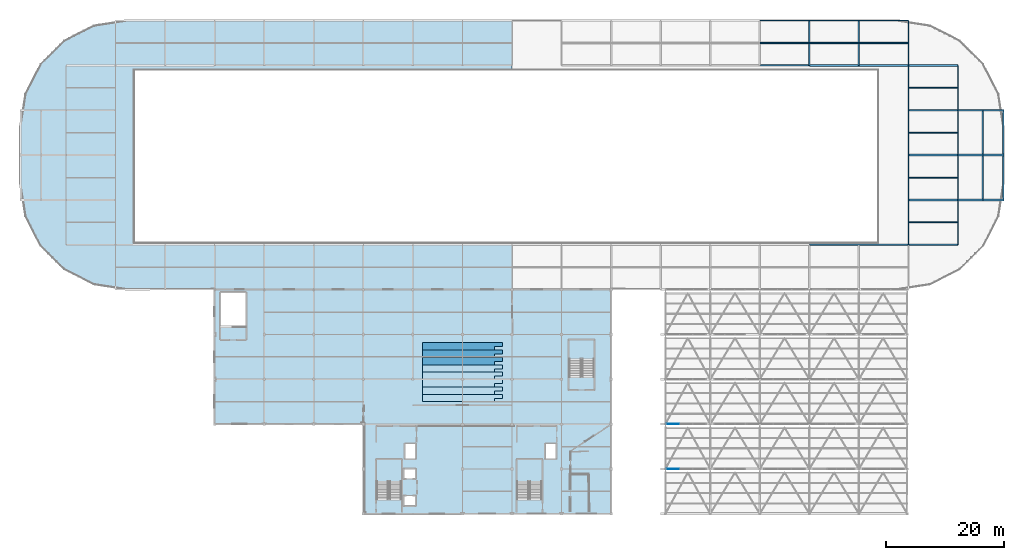
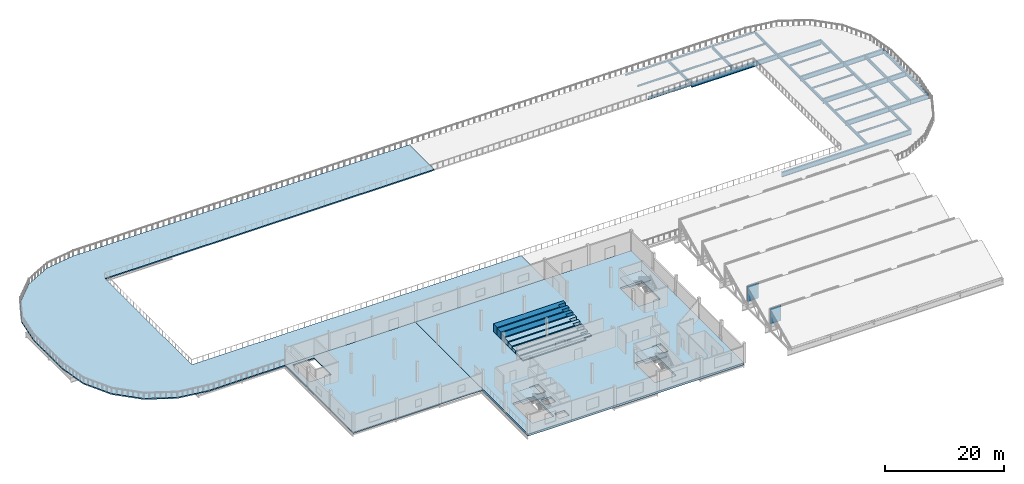
# One storey, part 39 of 57: 37 beams, 14 slabs, 2 plates, 5 elements without a shape of their own.
"""IFC4 building model written with IfcOpenShell, lengths in metres."""

from ifc_helpers import new_model, si_unit, direction, frame, origin, origin_2d, place, context, subcontext, project, spatial, polyline, rectangle, hollow_rectangle, i_section, outline, extrude, material, layer, layer_set, material_profile, profile_set, type_object, element, aggregate, save


model = new_model("IFC4")

# Units and contexts
model_context = context("Model", 3, precision=1e-05, world=origin(), true_north=direction((0.0, 1.0)))
body_context = subcontext(model_context, "Body", "Model", "MODEL_VIEW")
ifc_project = project(units=[si_unit("LENGTHUNIT", "METRE"), si_unit("AREAUNIT", "SQUARE_METRE"), si_unit("VOLUMEUNIT", "CUBIC_METRE"), si_unit("PLANEANGLEUNIT", "RADIAN"), si_unit("MASSUNIT", "GRAM", prefix="KILO")], contexts=[model_context])

# Site, building, storey
site_placement = place(None, origin())
site = spatial("IfcSite", under=ifc_project, at=site_placement, CompositionType="ELEMENT")
building_placement = place(site_placement, origin())
building = spatial("IfcBuilding", under=site, at=building_placement, Name="Zuvorla Pavilion Media Centre", CompositionType="ELEMENT")
storey_placement = place(building_placement, frame((0.0, 0.0, 18.0)))
storey = spatial("IfcBuildingStorey", under=building, at=storey_placement, Name="L04", CompositionType="ELEMENT", Elevation=18.0)

# Beams
ifc_material_1 = material(Name="Steel S355", Category="steel")
ifc_material_profile_1 = material_profile(ifc_material_1, hollow_rectangle(XDim=0.199951171875, YDim=0.300048828125, WallThickness=0.012451171875, at=origin_2d()), Name="RHS 300x200x12.5")
ifc_profile_set_1 = profile_set([ifc_material_profile_1], Name="Steel S355")
beam_type_1 = type_object("IfcBeamType", Name="BM-SP-RHS300", PredefinedType="SPANDREL", material=ifc_profile_set_1)
beam_1_placement = place(storey_placement, frame((134.0, 89.60009765625, -0.39794921875), z_axis=(1.0, 0.0, 0.0), x_axis=(0.0, 1.0, 0.0)))
element("IfcBeam", 1, at=beam_1_placement, inside=storey, type_object=beam_type_1, Name="L04 spandrel SP01 1387", PredefinedType="SPANDREL", context=body_context, shape_type="SweptSolid", body=[
    extrude(hollow_rectangle(XDim=0.199951171875, YDim=0.300048828125, WallThickness=0.012451171875, at=origin_2d()), origin(), (0.0, 0.0, 1.0), 8.39990234375),
])
beam_2_placement = place(storey_placement, frame((142.39990234375, 89.60009765625, -0.39794921875), z_axis=(1.0, 0.0, 0.0), x_axis=(0.0, 1.0, 0.0)))
element("IfcBeam", 2, at=beam_2_placement, inside=storey, type_object=beam_type_1, Name="L04 spandrel SP01 1388", PredefinedType="SPANDREL", context=body_context, shape_type="SweptSolid", body=[
    extrude(hollow_rectangle(XDim=0.199951171875, YDim=0.300048828125, WallThickness=0.012451171875, at=origin_2d()), origin(), (0.0, 0.0, 1.0), 8.400146484375),
])
beam_3_placement = place(storey_placement, frame((150.800048828125, 89.60009765625, -0.39794921875), z_axis=(1.0, 0.0, 0.0), x_axis=(0.0, 1.0, 0.0)))
element("IfcBeam", 3, at=beam_3_placement, inside=storey, type_object=beam_type_1, Name="L04 spandrel SP01 1389", PredefinedType="SPANDREL", context=body_context, shape_type="SweptSolid", body=[
    extrude(hollow_rectangle(XDim=0.199951171875, YDim=0.300048828125, WallThickness=0.012451171875, at=origin_2d()), origin(), (0.0, 0.0, 1.0), 8.39990234375),
])
ifc_material_profile_2 = material_profile(ifc_material_1, i_section(OverallWidth=0.302001953125, OverallDepth=1.008056640625, WebThickness=0.02099609375, FlangeThickness=0.0400390625, FilletRadius=0.030029296875, at=origin_2d()), Name="UB 1016x305x349")
ifc_profile_set_2 = profile_set([ifc_material_profile_2], Name="Steel S355")
beam_type_2 = type_object("IfcBeamType", Name="BM-UB1016", PredefinedType="BEAM", material=ifc_profile_set_2)
for number, where, z_axis, x_axis, name in (
    (4, (142.39990234375, 51.60009765625, -0.751953125), (1.0, 0.0, 0.0), (0.0, 1.0, 0.0), "L04 beam B02 1722"),
    (5, (142.39990234375, 82.0, -0.751953125), (1.0, 0.0, 0.0), (0.0, 1.0, 0.0), "L04 beam B02 1724"),
):
    element("IfcBeam", number, at=place(storey_placement, frame(where, z_axis=z_axis, x_axis=x_axis)), inside=storey, type_object=beam_type_2, Name=name, PredefinedType="BEAM", context=body_context, shape_type="SweptSolid", body=[
        extrude(i_section(OverallWidth=0.302001953125, OverallDepth=1.008056640625, WebThickness=0.02099609375, FlangeThickness=0.0400390625, FilletRadius=0.030029296875, at=origin_2d()), origin(), (0.0, 0.0, 1.0), 25.2001953125),
    ])
beam_4_placement = place(storey_placement, frame((159.199951171875, 59.199951171875, -0.751953125), z_axis=(1.0, 0.0, 0.0), x_axis=(0.0, 1.0, 0.0)))
element("IfcBeam", 6, at=beam_4_placement, inside=storey, type_object=beam_type_2, Name="L04 beam B02 1728", PredefinedType="BEAM", context=body_context, shape_type="SweptSolid", body=[
    extrude(i_section(OverallWidth=0.302001953125, OverallDepth=1.008056640625, WebThickness=0.02099609375, FlangeThickness=0.0400390625, FilletRadius=0.030029296875, at=origin_2d()), origin(), (0.0, 0.0, 1.0), 8.400146484375),
])
beam_5_placement = place(storey_placement, frame((167.60009765625, 59.199951171875, -0.751953125), z_axis=(1.0, 0.0, 0.0), x_axis=(0.0, 1.0, 0.0)))
element("IfcBeam", 7, at=beam_5_placement, inside=storey, type_object=beam_type_2, Name="L04 beam B02 1729", PredefinedType="BEAM", context=body_context, shape_type="SweptSolid", body=[
    extrude(i_section(OverallWidth=0.302001953125, OverallDepth=1.008056640625, WebThickness=0.02099609375, FlangeThickness=0.0400390625, FilletRadius=0.030029296875, at=origin_2d()), origin(), (0.0, 0.0, 1.0), 4.199951171875),
])
beam_6_placement = place(storey_placement, frame((171.800048828125, 59.199951171875, -0.751953125), z_axis=(1.0, 0.0, 0.0), x_axis=(0.0, 1.0, 0.0)))
element("IfcBeam", 8, at=beam_6_placement, inside=storey, type_object=beam_type_2, Name="L04 beam B02 1730", PredefinedType="BEAM", context=body_context, shape_type="SweptSolid", body=[
    extrude(i_section(OverallWidth=0.302001953125, OverallDepth=1.008056640625, WebThickness=0.02099609375, FlangeThickness=0.0400390625, FilletRadius=0.030029296875, at=origin_2d()), origin(), (0.0, 0.0, 1.0), 3.599853515625),
])
beam_7_placement = place(storey_placement, frame((159.199951171875, 66.800048828125, -0.751953125), z_axis=(1.0, 0.0, 0.0), x_axis=(0.0, 1.0, 0.0)))
element("IfcBeam", 9, at=beam_7_placement, inside=storey, type_object=beam_type_2, Name="L04 beam B02 1734", PredefinedType="BEAM", context=body_context, shape_type="SweptSolid", body=[
    extrude(i_section(OverallWidth=0.302001953125, OverallDepth=1.008056640625, WebThickness=0.02099609375, FlangeThickness=0.0400390625, FilletRadius=0.030029296875, at=origin_2d()), origin(), (0.0, 0.0, 1.0), 8.400146484375),
])
beam_8_placement = place(storey_placement, frame((167.60009765625, 66.800048828125, -0.751953125), z_axis=(1.0, 0.0, 0.0), x_axis=(0.0, 1.0, 0.0)))
element("IfcBeam", 10, at=beam_8_placement, inside=storey, type_object=beam_type_2, Name="L04 beam B02 1735", PredefinedType="BEAM", context=body_context, shape_type="SweptSolid", body=[
    extrude(i_section(OverallWidth=0.302001953125, OverallDepth=1.008056640625, WebThickness=0.02099609375, FlangeThickness=0.0400390625, FilletRadius=0.030029296875, at=origin_2d()), origin(), (0.0, 0.0, 1.0), 4.199951171875),
])
beam_9_placement = place(storey_placement, frame((171.800048828125, 66.800048828125, -0.751953125), z_axis=(1.0, 0.0, 0.0), x_axis=(0.0, 1.0, 0.0)))
element("IfcBeam", 11, at=beam_9_placement, inside=storey, type_object=beam_type_2, Name="L04 beam B02 1736", PredefinedType="BEAM", context=body_context, shape_type="SweptSolid", body=[
    extrude(i_section(OverallWidth=0.302001953125, OverallDepth=1.008056640625, WebThickness=0.02099609375, FlangeThickness=0.0400390625, FilletRadius=0.030029296875, at=origin_2d()), origin(), (0.0, 0.0, 1.0), 3.599853515625),
])
beam_10_placement = place(storey_placement, frame((159.199951171875, 74.39990234375, -0.751953125), z_axis=(1.0, 0.0, 0.0), x_axis=(0.0, 1.0, 0.0)))
element("IfcBeam", 12, at=beam_10_placement, inside=storey, type_object=beam_type_2, Name="L04 beam B02 1740", PredefinedType="BEAM", context=body_context, shape_type="SweptSolid", body=[
    extrude(i_section(OverallWidth=0.302001953125, OverallDepth=1.008056640625, WebThickness=0.02099609375, FlangeThickness=0.0400390625, FilletRadius=0.030029296875, at=origin_2d()), origin(), (0.0, 0.0, 1.0), 8.400146484375),
])
beam_11_placement = place(storey_placement, frame((167.60009765625, 74.39990234375, -0.751953125), z_axis=(1.0, 0.0, 0.0), x_axis=(0.0, 1.0, 0.0)))
element("IfcBeam", 13, at=beam_11_placement, inside=storey, type_object=beam_type_2, Name="L04 beam B02 1741", PredefinedType="BEAM", context=body_context, shape_type="SweptSolid", body=[
    extrude(i_section(OverallWidth=0.302001953125, OverallDepth=1.008056640625, WebThickness=0.02099609375, FlangeThickness=0.0400390625, FilletRadius=0.030029296875, at=origin_2d()), origin(), (0.0, 0.0, 1.0), 4.199951171875),
])
beam_12_placement = place(storey_placement, frame((171.800048828125, 74.39990234375, -0.751953125), z_axis=(1.0, 0.0, 0.0), x_axis=(0.0, 1.0, 0.0)))
element("IfcBeam", 14, at=beam_12_placement, inside=storey, type_object=beam_type_2, Name="L04 beam B02 1742", PredefinedType="BEAM", context=body_context, shape_type="SweptSolid", body=[
    extrude(i_section(OverallWidth=0.302001953125, OverallDepth=1.008056640625, WebThickness=0.02099609375, FlangeThickness=0.0400390625, FilletRadius=0.030029296875, at=origin_2d()), origin(), (0.0, 0.0, 1.0), 3.599853515625),
])
ifc_material_profile_3 = material_profile(ifc_material_1, i_section(OverallWidth=0.172119140625, OverallDepth=0.35791015625, WebThickness=0.008056640625, FlangeThickness=0.012939453125, FilletRadius=0.01025390625, at=origin_2d()), Name="UB 356x171x57")
ifc_profile_set_3 = profile_set([ifc_material_profile_3], Name="Steel S355")
beam_type_3 = type_object("IfcBeamType", Name="BM-UB356", PredefinedType="JOIST", material=ifc_profile_set_3)
for number, where, z_axis, x_axis, name in (
    (15, (134.109619140625, 85.800048828125, -0.427001953125), (1.0, 0.0, 0.0), (0.0, 1.0, 0.0), "L04 joist J03 1530"),
    (16, (142.509521484375, 85.800048828125, -0.427001953125), (1.0, 0.0, 0.0), (0.0, 1.0, 0.0), "L04 joist J03 1532"),
):
    element("IfcBeam", number, at=place(storey_placement, frame(where, z_axis=z_axis, x_axis=x_axis)), inside=storey, type_object=beam_type_3, Name=name, PredefinedType="JOIST", context=body_context, shape_type="SweptSolid", body=[
        extrude(i_section(OverallWidth=0.172119140625, OverallDepth=0.35791015625, WebThickness=0.008056640625, FlangeThickness=0.012939453125, FilletRadius=0.01025390625, at=origin_2d()), origin(), (0.0, 0.0, 1.0), 8.180908203125),
    ])
beam_13_placement = place(storey_placement, frame((150.909423828125, 85.800048828125, -0.427001953125), z_axis=(1.0, 0.0, 0.0), x_axis=(0.0, 1.0, 0.0)))
element("IfcBeam", 17, at=beam_13_placement, inside=storey, type_object=beam_type_3, Name="L04 joist J03 1534", PredefinedType="JOIST", context=body_context, shape_type="SweptSolid", body=[
    extrude(i_section(OverallWidth=0.172119140625, OverallDepth=0.35791015625, WebThickness=0.008056640625, FlangeThickness=0.012939453125, FilletRadius=0.01025390625, at=origin_2d()), origin(), (0.0, 0.0, 1.0), 8.18115234375),
])
for number, where, z_axis, x_axis, name in (
    (18, (159.3095703125, 55.39990234375, -0.427001953125), (1.0, 0.0, 0.0), (0.0, 1.0, 0.0), "L04 joist J03 1535"),
    (19, (159.3095703125, 63.0, -0.427001953125), (1.0, 0.0, 0.0), (0.0, 1.0, 0.0), "L04 joist J03 1536"),
    (20, (159.3095703125, 70.60009765625, -0.427001953125), (1.0, 0.0, 0.0), (0.0, 1.0, 0.0), "L04 joist J03 1537"),
    (21, (159.3095703125, 78.199951171875, -0.427001953125), (1.0, 0.0, 0.0), (0.0, 1.0, 0.0), "L04 joist J03 1538"),
):
    element("IfcBeam", number, at=place(storey_placement, frame(where, z_axis=z_axis, x_axis=x_axis)), inside=storey, type_object=beam_type_3, Name=name, PredefinedType="JOIST", context=body_context, shape_type="SweptSolid", body=[
        extrude(i_section(OverallWidth=0.172119140625, OverallDepth=0.35791015625, WebThickness=0.008056640625, FlangeThickness=0.012939453125, FilletRadius=0.01025390625, at=origin_2d()), origin(), (0.0, 0.0, 1.0), 8.180908203125),
    ])
ifc_material_profile_4 = material_profile(ifc_material_1, i_section(OverallWidth=0.22900390625, OverallDepth=0.6123046875, WebThickness=0.011962890625, FlangeThickness=0.01953125, FilletRadius=0.0126953125, at=origin_2d()), Name="UB 610x229x125")
ifc_profile_set_4 = profile_set([ifc_material_profile_4], Name="Steel S355")
beam_type_4 = type_object("IfcBeamType", Name="BM-UB610", PredefinedType="BEAM", material=ifc_profile_set_4)
beam_14_placement = place(storey_placement, frame((134.0, 82.0, -0.55419921875), z_axis=(1.0, 0.0, 0.0), x_axis=(0.0, 1.0, 0.0)))
element("IfcBeam", 22, at=beam_14_placement, inside=storey, type_object=beam_type_4, Name="L04 beam B07 1371", PredefinedType="BEAM", context=body_context, shape_type="SweptSolid", body=[
    extrude(i_section(OverallWidth=0.22900390625, OverallDepth=0.6123046875, WebThickness=0.011962890625, FlangeThickness=0.01953125, FilletRadius=0.0126953125, at=origin_2d()), origin(), (0.0, 0.0, 1.0), 8.39990234375),
])
for number, where, z_axis, x_axis, name in (
    (23, (142.39990234375, 82.0, -0.55419921875), (0.0, 1.0, 0.0), (-1.0, 0.0, 0.0), "L04 beam B07 1463"),
    (24, (150.800048828125, 82.0, -0.55419921875), (0.0, 1.0, 0.0), (-1.0, 0.0, 0.0), "L04 beam B07 1465"),
):
    element("IfcBeam", number, at=place(storey_placement, frame(where, z_axis=z_axis, x_axis=x_axis)), inside=storey, type_object=beam_type_4, Name=name, PredefinedType="BEAM", context=body_context, shape_type="SweptSolid", body=[
        extrude(i_section(OverallWidth=0.22900390625, OverallDepth=0.6123046875, WebThickness=0.011962890625, FlangeThickness=0.01953125, FilletRadius=0.0126953125, at=origin_2d()), origin(), (0.0, 0.0, 1.0), 7.60009765625),
    ])
beam_15_placement = place(storey_placement, frame((159.199951171875, 51.60009765625, -0.55419921875), z_axis=(0.0, 1.0, 0.0), x_axis=(-1.0, 0.0, 0.0)))
element("IfcBeam", 25, at=beam_15_placement, inside=storey, type_object=beam_type_4, Name="L04 beam B07 1467", PredefinedType="BEAM", context=body_context, shape_type="SweptSolid", body=[
    extrude(i_section(OverallWidth=0.22900390625, OverallDepth=0.6123046875, WebThickness=0.011962890625, FlangeThickness=0.01953125, FilletRadius=0.0126953125, at=origin_2d()), origin(), (0.0, 0.0, 1.0), 7.599853515625),
])
beam_16_placement = place(storey_placement, frame((159.199951171875, 59.199951171875, -0.55419921875), z_axis=(0.0, 1.0, 0.0), x_axis=(-1.0, 0.0, 0.0)))
element("IfcBeam", 26, at=beam_16_placement, inside=storey, type_object=beam_type_4, Name="L04 beam B07 1468", PredefinedType="BEAM", context=body_context, shape_type="SweptSolid", body=[
    extrude(i_section(OverallWidth=0.22900390625, OverallDepth=0.6123046875, WebThickness=0.011962890625, FlangeThickness=0.01953125, FilletRadius=0.0126953125, at=origin_2d()), origin(), (0.0, 0.0, 1.0), 7.60009765625),
])
beam_17_placement = place(storey_placement, frame((159.199951171875, 66.800048828125, -0.55419921875), z_axis=(0.0, 1.0, 0.0), x_axis=(-1.0, 0.0, 0.0)))
element("IfcBeam", 27, at=beam_17_placement, inside=storey, type_object=beam_type_4, Name="L04 beam B07 1469", PredefinedType="BEAM", context=body_context, shape_type="SweptSolid", body=[
    extrude(i_section(OverallWidth=0.22900390625, OverallDepth=0.6123046875, WebThickness=0.011962890625, FlangeThickness=0.01953125, FilletRadius=0.0126953125, at=origin_2d()), origin(), (0.0, 0.0, 1.0), 7.599853515625),
])
for number, where, z_axis, x_axis, name in (
    (28, (159.199951171875, 74.39990234375, -0.55419921875), (0.0, 1.0, 0.0), (-1.0, 0.0, 0.0), "L04 beam B07 1470"),
    (29, (159.199951171875, 82.0, -0.55419921875), (0.0, 1.0, 0.0), (-1.0, 0.0, 0.0), "L04 beam B07 1471"),
):
    element("IfcBeam", number, at=place(storey_placement, frame(where, z_axis=z_axis, x_axis=x_axis)), inside=storey, type_object=beam_type_4, Name=name, PredefinedType="BEAM", context=body_context, shape_type="SweptSolid", body=[
        extrude(i_section(OverallWidth=0.22900390625, OverallDepth=0.6123046875, WebThickness=0.011962890625, FlangeThickness=0.01953125, FilletRadius=0.0126953125, at=origin_2d()), origin(), (0.0, 0.0, 1.0), 7.60009765625),
    ])
beam_18_placement = place(storey_placement, frame((167.60009765625, 51.60009765625, -0.55419921875), z_axis=(0.0, 1.0, 0.0), x_axis=(-1.0, 0.0, 0.0)))
element("IfcBeam", 30, at=beam_18_placement, inside=storey, type_object=beam_type_4, Name="L04 beam B07 1472", PredefinedType="BEAM", context=body_context, shape_type="SweptSolid", body=[
    extrude(i_section(OverallWidth=0.22900390625, OverallDepth=0.6123046875, WebThickness=0.011962890625, FlangeThickness=0.01953125, FilletRadius=0.0126953125, at=origin_2d()), origin(), (0.0, 0.0, 1.0), 7.599853515625),
])
beam_19_placement = place(storey_placement, frame((167.60009765625, 59.199951171875, -0.55419921875), z_axis=(0.0, 1.0, 0.0), x_axis=(-1.0, 0.0, 0.0)))
element("IfcBeam", 31, at=beam_19_placement, inside=storey, type_object=beam_type_4, Name="L04 beam B07 1473", PredefinedType="BEAM", context=body_context, shape_type="SweptSolid", body=[
    extrude(i_section(OverallWidth=0.22900390625, OverallDepth=0.6123046875, WebThickness=0.011962890625, FlangeThickness=0.01953125, FilletRadius=0.0126953125, at=origin_2d()), origin(), (0.0, 0.0, 1.0), 7.60009765625),
])
beam_20_placement = place(storey_placement, frame((167.60009765625, 66.800048828125, -0.55419921875), z_axis=(0.0, 1.0, 0.0), x_axis=(-1.0, 0.0, 0.0)))
element("IfcBeam", 32, at=beam_20_placement, inside=storey, type_object=beam_type_4, Name="L04 beam B07 1474", PredefinedType="BEAM", context=body_context, shape_type="SweptSolid", body=[
    extrude(i_section(OverallWidth=0.22900390625, OverallDepth=0.6123046875, WebThickness=0.011962890625, FlangeThickness=0.01953125, FilletRadius=0.0126953125, at=origin_2d()), origin(), (0.0, 0.0, 1.0), 7.599853515625),
])
beam_21_placement = place(storey_placement, frame((167.60009765625, 74.39990234375, -0.55419921875), z_axis=(0.0, 1.0, 0.0), x_axis=(-1.0, 0.0, 0.0)))
element("IfcBeam", 33, at=beam_21_placement, inside=storey, type_object=beam_type_4, Name="L04 beam B07 1475", PredefinedType="BEAM", context=body_context, shape_type="SweptSolid", body=[
    extrude(i_section(OverallWidth=0.22900390625, OverallDepth=0.6123046875, WebThickness=0.011962890625, FlangeThickness=0.01953125, FilletRadius=0.0126953125, at=origin_2d()), origin(), (0.0, 0.0, 1.0), 7.60009765625),
])
ifc_material_profile_5 = material_profile(ifc_material_1, i_section(OverallWidth=0.25439453125, OverallDepth=0.6875, WebThickness=0.01318359375, FlangeThickness=0.02099609375, FilletRadius=0.01513671875, at=origin_2d()), Name="UB 686x254x152")
ifc_profile_set_5 = profile_set([ifc_material_profile_5], Name="Steel S355")
beam_type_5 = type_object("IfcBeamType", Name="BM-UB686", PredefinedType="BEAM", material=ifc_profile_set_5)
beam_22_placement = place(storey_placement, frame((171.800048828125, 59.199951171875, -0.591796875), z_axis=(0.0, 1.0, 0.0), x_axis=(-1.0, 0.0, 0.0)))
element("IfcBeam", 34, at=beam_22_placement, inside=storey, type_object=beam_type_5, Name="L04 beam B06 1747", PredefinedType="BEAM", context=body_context, shape_type="SweptSolid", body=[
    extrude(i_section(OverallWidth=0.25439453125, OverallDepth=0.6875, WebThickness=0.01318359375, FlangeThickness=0.02099609375, FilletRadius=0.01513671875, at=origin_2d()), origin(), (0.0, 0.0, 1.0), 7.60009765625),
])
beam_23_placement = place(storey_placement, frame((171.800048828125, 66.800048828125, -0.591796875), z_axis=(0.0, 1.0, 0.0), x_axis=(-1.0, 0.0, 0.0)))
element("IfcBeam", 35, at=beam_23_placement, inside=storey, type_object=beam_type_5, Name="L04 beam B06 1748", PredefinedType="BEAM", context=body_context, shape_type="SweptSolid", body=[
    extrude(i_section(OverallWidth=0.25439453125, OverallDepth=0.6875, WebThickness=0.01318359375, FlangeThickness=0.02099609375, FilletRadius=0.01513671875, at=origin_2d()), origin(), (0.0, 0.0, 1.0), 7.599853515625),
])
beam_24_placement = place(storey_placement, frame((175.27001953125, 59.199951171875, -0.591796875), z_axis=(0.0, 1.0, 0.0), x_axis=(-1.0, 0.0, 0.0)))
element("IfcBeam", 36, at=beam_24_placement, inside=storey, type_object=beam_type_5, Name="L04 beam B06 1749", PredefinedType="BEAM", context=body_context, shape_type="SweptSolid", body=[
    extrude(i_section(OverallWidth=0.25439453125, OverallDepth=0.6875, WebThickness=0.01318359375, FlangeThickness=0.02099609375, FilletRadius=0.01513671875, at=origin_2d()), origin(), (0.0, 0.0, 1.0), 7.60009765625),
])
beam_25_placement = place(storey_placement, frame((175.27001953125, 66.800048828125, -0.591796875), z_axis=(0.0, 1.0, 0.0), x_axis=(-1.0, 0.0, 0.0)))
element("IfcBeam", 37, at=beam_25_placement, inside=storey, type_object=beam_type_5, Name="L04 beam B06 1750", PredefinedType="BEAM", context=body_context, shape_type="SweptSolid", body=[
    extrude(i_section(OverallWidth=0.25439453125, OverallDepth=0.6875, WebThickness=0.01318359375, FlangeThickness=0.02099609375, FilletRadius=0.01513671875, at=origin_2d()), origin(), (0.0, 0.0, 1.0), 7.599853515625),
])

# Curtain wall, plate
ifc_material_2 = material(Name="Unitised anodised aluminium and solar glass curtain wall", Category="aluminium")
curtain_wall_type = type_object("IfcCurtainWallType", Name="CW-SYS-90", PredefinedType="USERDEFINED", material=ifc_material_2)
curtain_wall_1_placement = place(storey_placement, origin())
curtain_wall_1 = element("IfcCurtainWall", 38, at=curtain_wall_1_placement, inside=storey, type_object=curtain_wall_type, Name="L04 curtain wall CW90 224", ObjectType="CURTAIN WALL", PredefinedType="USERDEFINED")
ifc_material_3 = material(Name="Triple acoustic broadcast glazing", Category="glass")
ifc_layer_1 = layer(ifc_material_3, 0.0419921875)
ifc_layer_set_1 = layer_set([ifc_layer_1], Name="Triple acoustic broadcast glazing")
plate_type = type_object("IfcPlateType", Name="CW-PNL-42", PredefinedType="CURTAIN_PANEL", material=ifc_layer_set_1)
plate_1_placement = place(storey_placement, frame((119.27587890625, 13.60009765625, 0.0302734375), z_axis=(0.0, 0.0, 1.0), x_axis=(1.0, 0.0, 0.0)))
plate_1 = element("IfcPlate", 39, at=plate_1_placement, type_object=plate_type, Name="CW90 panel 1.1", PredefinedType="CURTAIN_PANEL", context=body_context, shape_type="SweptSolid", body=[
    extrude(rectangle(XDim=2.171875, YDim=0.0419921875, at=origin_2d()), origin(), (0.0, 0.0, 1.0), 3.159912109375),
])
aggregate(curtain_wall_1, [plate_1])

curtain_wall_2_placement = place(storey_placement, origin())
curtain_wall_2 = element("IfcCurtainWall", 40, at=curtain_wall_2_placement, inside=storey, type_object=curtain_wall_type, Name="L04 curtain wall CW90 230", ObjectType="CURTAIN WALL", PredefinedType="USERDEFINED")
plate_2_placement = place(storey_placement, frame((119.27587890625, 21.199951171875, 0.0302734375), z_axis=(0.0, 0.0, 1.0), x_axis=(1.0, 0.0, 0.0)))
plate_2 = element("IfcPlate", 41, at=plate_2_placement, type_object=plate_type, Name="CW90 panel 1.1", PredefinedType="CURTAIN_PANEL", context=body_context, shape_type="SweptSolid", body=[
    extrude(rectangle(XDim=2.171875, YDim=0.0419921875, at=origin_2d()), origin(), (0.0, 0.0, 1.0), 3.159912109375),
])
aggregate(curtain_wall_2, [plate_2])

# Slabs
ifc_material_4 = material(Name="Precast concrete C40/50", Category="concrete")
ifc_layer_2 = layer(ifc_material_4, 0.239990234375)
ifc_layer_set_2 = layer_set([ifc_layer_2], Name="Precast concrete C40/50")
slab_type_1 = type_object("IfcSlabType", Name="SLB-DECK-240", PredefinedType="FLOOR", material=ifc_layer_set_2)
slab_1_placement = place(storey_placement, frame((0.0, 0.0, -0.239990234375)))
element("IfcSlab", 42, at=slab_1_placement, inside=storey, type_object=slab_type_1, Name="L04 floor slab RINGDECK", PredefinedType="FLOOR", context=body_context, shape_type="SweptSolid", body=[
    extrude(outline(polyline([(21.03759765625, 44.881103515625), (16.02001953125, 47.437744140625), (12.03759765625, 51.419921875), (9.48095703125, 56.437744140625), (8.60009765625, 62.0), (8.60009765625, 71.60009765625), (9.48095703125, 77.162353515625), (12.03759765625, 82.18017578125), (16.02001953125, 86.162353515625), (21.03759765625, 88.718994140625), (26.60009765625, 89.60009765625), (92.0, 89.60009765625), (92.0, 81.199951171875), (28.0, 81.199951171875), (28.0, 52.0), (92.0, 52.0), (92.0, 44.0), (26.60009765625, 44.0), (21.03759765625, 44.881103515625)])), origin(), (0.0, 0.0, 1.0), 0.239990234375),
])
ifc_material_5 = material(Name="Concrete C32/40", Category="concrete")
ifc_layer_3 = layer(ifc_material_5, 0.239990234375)
ifc_layer_set_3 = layer_set([ifc_layer_3], Name="Concrete C32/40")
slab_type_2 = type_object("IfcSlabType", Name="SLB-FLR-240", PredefinedType="FLOOR", material=ifc_layer_set_3)
slab_2_placement = place(storey_placement, frame((0.0, 0.0, -0.239990234375)))
element("IfcSlab", 43, at=slab_2_placement, inside=storey, type_object=slab_type_2, Name="L04 floor slab SW", PredefinedType="FLOOR", context=body_context, shape_type="SweptSolid", body=[
    extrude(outline(polyline([(41.60009765625, 21.199951171875), (41.60009765625, 44.0), (66.800048828125, 44.0), (66.800048828125, 21.199951171875), (41.60009765625, 21.199951171875)]), holes=[polyline([(46.85009765625, 43.449951171875), (42.64990234375, 43.449951171875), (42.64990234375, 37.699951171875), (46.85009765625, 37.699951171875), (46.85009765625, 43.449951171875)])]), origin(), (0.0, 0.0, 1.0), 0.239990234375),
])
ifc_material_6 = material(Name="Concrete C40/50", Category="concrete")
ifc_layer_4 = layer(ifc_material_6, 0.419921875)
ifc_layer_set_4 = layer_set([ifc_layer_4], Name="Concrete C40/50")
slab_type_3 = type_object("IfcSlabType", Name="SLB-FLR-400", PredefinedType="FLOOR", material=ifc_layer_set_4)
slab_3_placement = place(storey_placement, frame((0.0, 0.0, -0.419921875)))
element("IfcSlab", 44, at=slab_3_placement, inside=storey, type_object=slab_type_3, Name="L04 floor slab CB", PredefinedType="FLOOR", context=body_context, shape_type="SweptSolid", body=[
    extrude(outline(polyline([(66.800048828125, 6.0), (66.800048828125, 44.0), (108.800048828125, 44.0), (108.800048828125, 6.0), (66.800048828125, 6.0)]), holes=[polyline([(73.669921875, 7.3701171875), (75.6298828125, 7.3701171875), (75.6298828125, 9.030029296875), (73.669921875, 9.030029296875), (73.669921875, 7.3701171875)]), polyline([(69.050048828125, 15.14990234375), (69.050048828125, 8.449951171875), (73.25, 8.449951171875), (73.25, 15.14990234375), (69.050048828125, 15.14990234375)]), polyline([(92.85009765625, 15.14990234375), (92.85009765625, 8.449951171875), (97.050048828125, 8.449951171875), (97.050048828125, 15.14990234375), (92.85009765625, 15.14990234375)]), polyline([(73.669921875, 13.6298828125), (73.669921875, 11.969970703125), (75.6298828125, 11.969970703125), (75.6298828125, 13.6298828125), (73.669921875, 13.6298828125)]), polyline([(73.8701171875, 17.8798828125), (73.8701171875, 15.320068359375), (75.6298828125, 15.320068359375), (75.6298828125, 17.8798828125), (73.8701171875, 17.8798828125)]), polyline([(97.669921875, 17.8798828125), (97.669921875, 15.320068359375), (99.429931640625, 15.320068359375), (99.429931640625, 17.8798828125), (97.669921875, 17.8798828125)]), polyline([(101.699951171875, 35.449951171875), (101.699951171875, 29.199951171875), (105.89990234375, 29.199951171875), (105.89990234375, 35.449951171875), (101.699951171875, 35.449951171875)])]), origin(), (0.0, 0.0, 1.0), 0.419921875),
])

# Stair, slab
stair_type = type_object("IfcStairType", Name="STR-DOG-420", PredefinedType="TWO_STRAIGHT_RUN_STAIR", material=ifc_material_6)
stair_1_placement = place(storey_placement, origin())
stair_1 = element("IfcStair", 45, at=stair_1_placement, inside=storey, type_object=stair_type, Name="L04 exit stair ST-01", PredefinedType="TWO_STRAIGHT_RUN_STAIR")
ifc_layer_5 = layer(ifc_material_6, 0.199951171875)
ifc_layer_set_5 = layer_set([ifc_layer_5], Name="Concrete C40/50")
slab_type_4 = type_object("IfcSlabType", Name="SLB-LND-200", PredefinedType="LANDING", material=ifc_layer_set_5)
slab_4_placement = place(storey_placement, frame((0.0, 0.0, 1.89990234375)))
slab_4 = element("IfcSlab", 46, at=slab_4_placement, type_object=slab_type_4, Name="ST-01 landing 1", PredefinedType="LANDING", context=body_context, shape_type="SweptSolid", body=[
    extrude(outline(polyline([(69.030029296875, 11.510009765625), (73.27001953125, 11.510009765625), (73.27001953125, 15.169921875), (69.030029296875, 15.169921875), (69.030029296875, 11.510009765625)])), origin(), (0.0, 0.0, 1.0), 0.2001953125),
])
aggregate(stair_1, [slab_4])

stair_2_placement = place(storey_placement, origin())
stair_2 = element("IfcStair", 47, at=stair_2_placement, inside=storey, type_object=stair_type, Name="L04 exit stair ST-02", PredefinedType="TWO_STRAIGHT_RUN_STAIR")
slab_5_placement = place(storey_placement, frame((0.0, 0.0, 1.89990234375)))
slab_5 = element("IfcSlab", 48, at=slab_5_placement, type_object=slab_type_4, Name="ST-02 landing 1", PredefinedType="LANDING", context=body_context, shape_type="SweptSolid", body=[
    extrude(outline(polyline([(92.830078125, 11.510009765625), (97.070068359375, 11.510009765625), (97.070068359375, 15.169921875), (92.830078125, 15.169921875), (92.830078125, 11.510009765625)])), origin(), (0.0, 0.0, 1.0), 0.2001953125),
])
aggregate(stair_2, [slab_5])

stair_3_placement = place(storey_placement, origin())
stair_3 = element("IfcStair", 49, at=stair_3_placement, inside=storey, type_object=stair_type, Name="L04 exit stair ST-04", PredefinedType="TWO_STRAIGHT_RUN_STAIR")
slab_6_placement = place(storey_placement, frame((0.0, 0.0, 1.89990234375)))
slab_6 = element("IfcSlab", 50, at=slab_6_placement, type_object=slab_type_4, Name="ST-04 landing 1", PredefinedType="LANDING", context=body_context, shape_type="SweptSolid", body=[
    extrude(outline(polyline([(101.679931640625, 32.260009765625), (105.919921875, 32.260009765625), (105.919921875, 35.469970703125), (101.679931640625, 35.469970703125), (101.679931640625, 32.260009765625)])), origin(), (0.0, 0.0, 1.0), 0.2001953125),
])
aggregate(stair_3, [slab_6])

# Slabs
ifc_layer_6 = layer(ifc_material_4, 0.14990234375)
ifc_layer_set_6 = layer_set([ifc_layer_6], Name="Precast concrete C40/50")
slab_type_5 = type_object("IfcSlabType", Name="SLB-TIER-150", PredefinedType="USERDEFINED", material=ifc_layer_set_6)
slab_7_placement = place(storey_placement, origin())
element("IfcSlab", 51, at=slab_7_placement, inside=storey, type_object=slab_type_5, Name="L04 SCR6 seating tier 1", ObjectType="SEATING TIER", PredefinedType="USERDEFINED", context=body_context, shape_type="SweptSolid", body=[
    extrude(outline(polyline([(76.800048828125, 25.0), (89.0, 25.0), (89.0, 25.5625), (90.39990234375, 25.5625), (90.39990234375, 26.25), (76.800048828125, 26.25), (76.800048828125, 25.0)])), origin(), (0.0, 0.0, 1.0), 0.199951171875),
])
slab_8_placement = place(storey_placement, origin())
element("IfcSlab", 52, at=slab_8_placement, inside=storey, type_object=slab_type_5, Name="L04 SCR6 seating tier 2", ObjectType="SEATING TIER", PredefinedType="USERDEFINED", context=body_context, shape_type="SweptSolid", body=[
    extrude(outline(polyline([(76.800048828125, 26.25), (89.0, 26.25), (89.0, 26.8125), (90.39990234375, 26.8125), (90.39990234375, 27.5), (76.800048828125, 27.5), (76.800048828125, 26.25)])), origin(), (0.0, 0.0, 1.0), 0.39990234375),
])
slab_9_placement = place(storey_placement, origin())
element("IfcSlab", 53, at=slab_9_placement, inside=storey, type_object=slab_type_5, Name="L04 SCR6 seating tier 3", ObjectType="SEATING TIER", PredefinedType="USERDEFINED", context=body_context, shape_type="SweptSolid", body=[
    extrude(outline(polyline([(76.800048828125, 27.5), (89.0, 27.5), (89.0, 28.0625), (90.39990234375, 28.0625), (90.39990234375, 28.75), (76.800048828125, 28.75), (76.800048828125, 27.5)])), origin(), (0.0, 0.0, 1.0), 0.60009765625),
])
slab_10_placement = place(storey_placement, origin())
element("IfcSlab", 54, at=slab_10_placement, inside=storey, type_object=slab_type_5, Name="L04 SCR6 seating tier 4", ObjectType="SEATING TIER", PredefinedType="USERDEFINED", context=body_context, shape_type="SweptSolid", body=[
    extrude(outline(polyline([(76.800048828125, 28.75), (89.0, 28.75), (89.0, 29.3125), (90.39990234375, 29.3125), (90.39990234375, 30.0), (76.800048828125, 30.0), (76.800048828125, 28.75)])), origin(), (0.0, 0.0, 1.0), 0.800048828125),
])
slab_11_placement = place(storey_placement, origin())
element("IfcSlab", 55, at=slab_11_placement, inside=storey, type_object=slab_type_5, Name="L04 SCR6 seating tier 5", ObjectType="SEATING TIER", PredefinedType="USERDEFINED", context=body_context, shape_type="SweptSolid", body=[
    extrude(outline(polyline([(76.800048828125, 30.0), (89.0, 30.0), (89.0, 30.5625), (90.39990234375, 30.5625), (90.39990234375, 31.25), (76.800048828125, 31.25), (76.800048828125, 30.0)])), origin(), (0.0, 0.0, 1.0), 1.0),
])
slab_12_placement = place(storey_placement, origin())
element("IfcSlab", 56, at=slab_12_placement, inside=storey, type_object=slab_type_5, Name="L04 SCR6 seating tier 6", ObjectType="SEATING TIER", PredefinedType="USERDEFINED", context=body_context, shape_type="SweptSolid", body=[
    extrude(outline(polyline([(76.800048828125, 31.25), (89.0, 31.25), (89.0, 31.8125), (90.39990234375, 31.8125), (90.39990234375, 32.5), (76.800048828125, 32.5), (76.800048828125, 31.25)])), origin(), (0.0, 0.0, 1.0), 1.199951171875),
])
slab_13_placement = place(storey_placement, origin())
element("IfcSlab", 57, at=slab_13_placement, inside=storey, type_object=slab_type_5, Name="L04 SCR6 seating tier 7", ObjectType="SEATING TIER", PredefinedType="USERDEFINED", context=body_context, shape_type="SweptSolid", body=[
    extrude(outline(polyline([(76.800048828125, 32.5), (89.0, 32.5), (89.0, 33.0625), (90.39990234375, 33.0625), (90.39990234375, 33.75), (76.800048828125, 33.75), (76.800048828125, 32.5)])), origin(), (0.0, 0.0, 1.0), 1.39990234375),
])
slab_14_placement = place(storey_placement, origin())
element("IfcSlab", 58, at=slab_14_placement, inside=storey, type_object=slab_type_5, Name="L04 SCR6 seating tier 8", ObjectType="SEATING TIER", PredefinedType="USERDEFINED", context=body_context, shape_type="SweptSolid", body=[
    extrude(outline(polyline([(76.800048828125, 33.75), (89.0, 33.75), (89.0, 34.3125), (90.39990234375, 34.3125), (90.39990234375, 35.0), (76.800048828125, 35.0), (76.800048828125, 33.75)])), origin(), (0.0, 0.0, 1.0), 1.60009765625),
])

save(model, "model.ifc")
